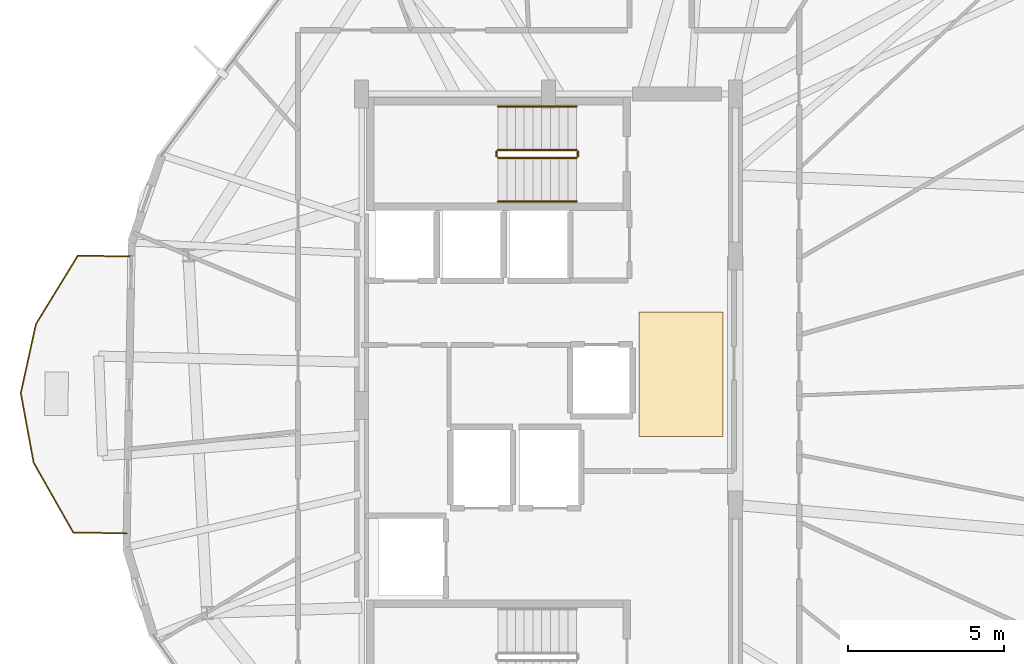
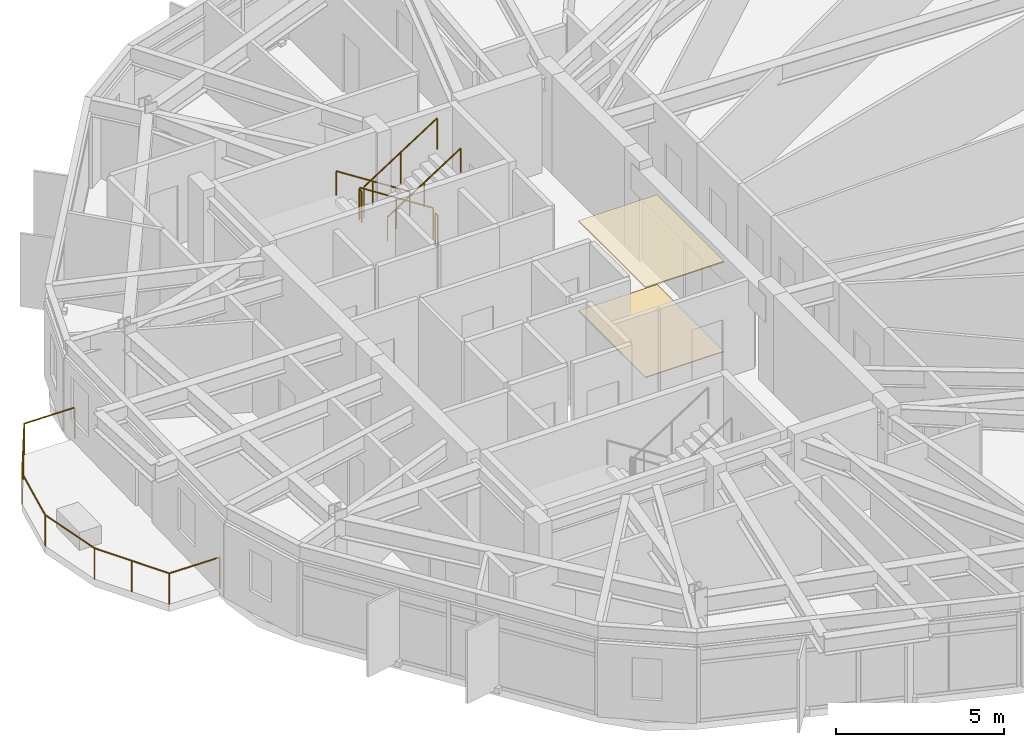
# One storey, part 28 of 29: 7 railings, 2 coverings.
"""IFC4 building model written with IfcOpenShell, lengths in metres."""

from ifc_helpers import new_model, si_unit, direction, frame, origin, origin_2d, place, context, subcontext, project, spatial, polyline, circle, outline, extrude, material, layer, layer_set, type_object, element, save


model = new_model("IFC4")

# Units and contexts
model_context = context("Model", 3, precision=1e-05, world=origin(), true_north=direction((0.0, 1.0)))
body_context = subcontext(model_context, "Body", "Model", "MODEL_VIEW")
ifc_project = project(units=[si_unit("LENGTHUNIT", "METRE"), si_unit("AREAUNIT", "SQUARE_METRE"), si_unit("VOLUMEUNIT", "CUBIC_METRE"), si_unit("PLANEANGLEUNIT", "RADIAN"), si_unit("MASSUNIT", "GRAM", prefix="KILO")], contexts=[model_context])

# Site, building, storey
site_placement = place(None, origin())
site = spatial("IfcSite", under=ifc_project, at=site_placement, CompositionType="ELEMENT")
building_placement = place(site_placement, origin())
building = spatial("IfcBuilding", under=site, at=building_placement, Name="Soratama Intermodal Tower", CompositionType="ELEMENT")
storey_placement = place(building_placement, frame((0.0, 0.0, 226.60009765625)))
storey = spatial("IfcBuildingStorey", under=building, at=storey_placement, Name="L57", CompositionType="ELEMENT", Elevation=226.60009765625)

# Coverings
ifc_material_1 = material(Name="Perforated mineral acoustic ceiling", Category="concrete")
ifc_layer_1 = layer(ifc_material_1, 0.0400390625)
ifc_layer_set_1 = layer_set([ifc_layer_1], Name="Perforated mineral acoustic ceiling")
covering_type_1 = type_object("IfcCoveringType", Name="CV-CEIL-ACOUSTIC", PredefinedType="CEILING", material=ifc_layer_set_1)
covering_1_placement = place(storey_placement, frame((0.0, 0.0, 3.260009765625)))
element("IfcCovering", 1, at=covering_1_placement, inside=storey, type_object=covering_type_1, Name="L57 Acoustic Ceiling", PredefinedType="CEILING", context=body_context, shape_type="SweptSolid", body=[
    extrude(outline(polyline([(41.5, 24.0), (44.199951171875, 24.0), (44.199951171875, 28.0), (41.5, 28.0), (41.5, 24.0)])), origin(), (0.0, 0.0, 1.0), 0.039794921875),
])
ifc_material_2 = material(Name="Polished Andean stone terrazzo flooring", Category="masonry")
ifc_layer_2 = layer(ifc_material_2, 0.030029296875)
ifc_layer_set_2 = layer_set([ifc_layer_2], Name="Polished Andean stone terrazzo flooring")
covering_type_2 = type_object("IfcCoveringType", Name="CV-FLOR-TERRAZZO", PredefinedType="FLOORING", material=ifc_layer_set_2)
covering_2_placement = place(storey_placement, origin())
element("IfcCovering", 2, at=covering_2_placement, inside=storey, type_object=covering_type_2, Name="L57 Lobby Terrazzo Flooring", PredefinedType="FLOORING", context=body_context, shape_type="SweptSolid", body=[
    extrude(outline(polyline([(41.5, 24.0), (44.199951171875, 24.0), (44.199951171875, 28.0), (41.5, 28.0), (41.5, 24.0)])), origin(), (0.0, 0.0, 1.0), 0.02978515625),
])

# Railings
ifc_material_3 = material(Name="Laminated glass and stainless steel balustrade", Category="steel")
railing_type_1 = type_object("IfcRailingType", Name="RL-BAL-1150", PredefinedType="BALUSTRADE", material=ifc_material_3)
railing_1_placement = place(storey_placement, frame((25.051025390625, 20.884765625, 0.0)))
element("IfcRailing", 3, at=railing_1_placement, inside=storey, type_object=railing_type_1, Name="L57 Balcony Balustrade 2", PredefinedType="BALUSTRADE", context=body_context, shape_type="SweptSolid", body=[
    extrude(circle(Radius=0.02392578125, at=origin_2d()), frame((0.0, 0.0, 1.1259765625), z_axis=(-0.999857330124, 0.016891400097, 0.0), x_axis=(-0.016891400097, -0.999857330124, 0.0)), (0.0, 0.0, 1.0), 1.719970703125),
    extrude(circle(Radius=0.02392578125, at=origin_2d()), frame((-1.7197265625, 0.029052734375, 1.1259765625), z_axis=(-0.493243992904, 0.869891006658, 0.0), x_axis=(-0.869891006658, -0.493243992904, 0.0)), (0.0, 0.0, 1.0), 2.581787109375),
    extrude(circle(Radius=0.02392578125, at=origin_2d()), frame((-2.9931640625, 2.27490234375, 1.1259765625), z_axis=(-0.181384219352, 0.983412306701, 0.0), x_axis=(-0.983412306701, -0.181384219352, 0.0)), (0.0, 0.0, 1.0), 2.269287109375),
    extrude(circle(Radius=0.02392578125, at=origin_2d()), frame((-3.40478515625, 4.506591796875, 1.1259765625), z_axis=(0.214309661144, 0.976765769845, 0.0), x_axis=(-0.976765769845, 0.214309661144, 0.0)), (0.0, 0.0, 1.0), 2.269287109375),
    extrude(circle(Radius=0.02392578125, at=origin_2d()), frame((-2.91845703125, 6.72314453125, 1.1259765625), z_axis=(0.522054199317, 0.852912312595, 0.0), x_axis=(-0.852912312595, 0.522054199317, 0.0)), (0.0, 0.0, 1.0), 2.58203125),
    extrude(circle(Radius=0.02392578125, at=origin_2d()), frame((-1.570556640625, 8.92529296875, 1.1259765625), z_axis=(0.99985971736, -0.016749495549, 0.0), x_axis=(0.016749495549, 0.99985971736, 0.0)), (0.0, 0.0, 1.0), 1.719970703125),
    extrude(circle(Radius=0.02099609375, at=origin_2d()), origin(), (0.0, 0.0, 1.0), 1.101806640625),
    extrude(circle(Radius=0.02099609375, at=origin_2d()), frame((-1.7197265625, 0.029052734375, 0.0)), (0.0, 0.0, 1.0), 1.101806640625),
    extrude(circle(Radius=0.02099609375, at=origin_2d()), frame((-2.3564453125, 1.15185546875, 0.0)), (0.0, 0.0, 1.0), 1.101806640625),
    extrude(circle(Radius=0.02099609375, at=origin_2d()), frame((-2.9931640625, 2.27490234375, 0.0)), (0.0, 0.0, 1.0), 1.101806640625),
    extrude(circle(Radius=0.02099609375, at=origin_2d()), frame((-3.40478515625, 4.506591796875, 0.0)), (0.0, 0.0, 1.0), 1.101806640625),
    extrude(circle(Radius=0.02099609375, at=origin_2d()), frame((-2.91845703125, 6.72314453125, 0.0)), (0.0, 0.0, 1.0), 1.101806640625),
    extrude(circle(Radius=0.02099609375, at=origin_2d()), frame((-2.24462890625, 7.82421875, 0.0)), (0.0, 0.0, 1.0), 1.101806640625),
    extrude(circle(Radius=0.02099609375, at=origin_2d()), frame((-1.570556640625, 8.92529296875, 0.0)), (0.0, 0.0, 1.0), 1.101806640625),
    extrude(circle(Radius=0.02099609375, at=origin_2d()), frame((0.149169921875, 8.896484375, 0.0)), (0.0, 0.0, 1.0), 1.101806640625),
])
ifc_material_4 = material(Name="Painted steel stair guardrail", Category="steel")
railing_type_2 = type_object("IfcRailingType", Name="RL-STAIR-GUARD", PredefinedType="GUARDRAIL", material=ifc_material_4)
railing_2_placement = place(storey_placement, frame((39.5, 33.199951171875, 0.179931640625)))
element("IfcRailing", 4, at=railing_2_placement, inside=storey, type_object=railing_type_2, Name="L57 ST-2 stair guard 1", PredefinedType="GUARDRAIL", context=body_context, shape_type="SweptSolid", body=[
    extrude(circle(Radius=0.02392578125, at=origin_2d()), frame((0.0, 0.0, 1.1259765625), z_axis=(-0.841199657755, 0.0, 0.540724639528), x_axis=(0.0, -1.0, 0.0)), (0.0, 0.0, 1.0), 2.995849609375),
    extrude(circle(Radius=0.02099609375, at=origin_2d()), origin(), (0.0, 0.0, 1.0), 1.101806640625),
    extrude(circle(Radius=0.02099609375, at=origin_2d()), frame((-1.260009765625, 0.0, 0.81005859375)), (0.0, 0.0, 1.0), 1.101806640625),
    extrude(circle(Radius=0.02099609375, at=origin_2d()), frame((-2.52001953125, 0.0, 1.619873046875)), (0.0, 0.0, 1.0), 1.101806640625),
])
railing_3_placement = place(storey_placement, frame((36.929931640625, 33.14990234375, 1.7998046875)))
element("IfcRailing", 5, at=railing_3_placement, inside=storey, type_object=railing_type_2, Name="L57 ST-2 stair guard 2", PredefinedType="GUARDRAIL", context=body_context, shape_type="SweptSolid", body=[
    extrude(circle(Radius=0.02392578125, at=origin_2d()), frame((0.0, 0.0, 1.1259765625), z_axis=(0.0, -1.0, 0.0), x_axis=(1.0, 0.0, 0.0)), (0.0, 0.0, 1.0), 0.14990234375),
    extrude(circle(Radius=0.02099609375, at=origin_2d()), origin(), (0.0, 0.0, 1.0), 1.101806640625),
    extrude(circle(Radius=0.02099609375, at=origin_2d()), frame((0.0, -0.14990234375, 0.0)), (0.0, 0.0, 1.0), 1.101806640625),
])
railing_4_placement = place(storey_placement, frame((36.97998046875, 32.949951171875, 1.97998046875)))
element("IfcRailing", 6, at=railing_4_placement, inside=storey, type_object=railing_type_2, Name="L57 ST-2 stair guard 3", PredefinedType="GUARDRAIL", context=body_context, shape_type="SweptSolid", body=[
    extrude(circle(Radius=0.02392578125, at=origin_2d()), frame((0.0, 0.0, 1.1259765625), z_axis=(0.841199657755, 0.0, 0.540724639528), x_axis=(0.0, 1.0, 0.0)), (0.0, 0.0, 1.0), 2.995849609375),
    extrude(circle(Radius=0.02099609375, at=origin_2d()), origin(), (0.0, 0.0, 1.0), 1.101806640625),
    extrude(circle(Radius=0.02099609375, at=origin_2d()), frame((1.260009765625, 0.0, 0.81005859375)), (0.0, 0.0, 1.0), 1.101806640625),
    extrude(circle(Radius=0.02099609375, at=origin_2d()), frame((2.52001953125, 0.0, 1.619873046875)), (0.0, 0.0, 1.0), 1.101806640625),
])
railing_5_placement = place(storey_placement, frame((39.550048828125, 33.14990234375, 0.0)))
element("IfcRailing", 7, at=railing_5_placement, inside=storey, type_object=railing_type_2, Name="L57 ST-2 stair guard 4", PredefinedType="GUARDRAIL", context=body_context, shape_type="SweptSolid", body=[
    extrude(circle(Radius=0.02392578125, at=origin_2d()), frame((0.0, 0.0, 1.1259765625), z_axis=(0.0, -1.0, 0.0), x_axis=(1.0, 0.0, 0.0)), (0.0, 0.0, 1.0), 0.14990234375),
    extrude(circle(Radius=0.02099609375, at=origin_2d()), origin(), (0.0, 0.0, 1.0), 1.101806640625),
    extrude(circle(Radius=0.02099609375, at=origin_2d()), frame((0.0, -0.14990234375, 0.0)), (0.0, 0.0, 1.0), 1.101806640625),
])
ifc_material_5 = material(Name="Brushed stainless steel handrail", Category="steel")
railing_type_3 = type_object("IfcRailingType", Name="RL-STAIR-HAND", PredefinedType="HANDRAIL", material=ifc_material_5)
railing_6_placement = place(storey_placement, frame((39.5, 34.60009765625, 0.179931640625)))
element("IfcRailing", 8, at=railing_6_placement, inside=storey, type_object=railing_type_3, Name="L57 ST-2 stair handrail 1", PredefinedType="HANDRAIL", context=body_context, shape_type="SweptSolid", body=[
    extrude(circle(Radius=0.02392578125, at=origin_2d()), frame((0.0, 0.0, 0.8759765625), z_axis=(-0.841199657755, 0.0, 0.540724639528), x_axis=(0.0, -1.0, 0.0)), (0.0, 0.0, 1.0), 2.995849609375),
    extrude(circle(Radius=0.02099609375, at=origin_2d()), origin(), (0.0, 0.0, 1.0), 0.851806640625),
    extrude(circle(Radius=0.02099609375, at=origin_2d()), frame((-1.260009765625, 0.0, 0.81005859375)), (0.0, 0.0, 1.0), 0.851806640625),
    extrude(circle(Radius=0.02099609375, at=origin_2d()), frame((-2.52001953125, 0.0, 1.619873046875)), (0.0, 0.0, 1.0), 0.851806640625),
])
railing_7_placement = place(storey_placement, frame((36.97998046875, 31.550048828125, 1.97998046875)))
element("IfcRailing", 9, at=railing_7_placement, inside=storey, type_object=railing_type_3, Name="L57 ST-2 stair handrail 2", PredefinedType="HANDRAIL", context=body_context, shape_type="SweptSolid", body=[
    extrude(circle(Radius=0.02392578125, at=origin_2d()), frame((0.0, 0.0, 0.8759765625), z_axis=(0.841199657755, 0.0, 0.540724639528), x_axis=(0.0, 1.0, 0.0)), (0.0, 0.0, 1.0), 2.995849609375),
    extrude(circle(Radius=0.02099609375, at=origin_2d()), origin(), (0.0, 0.0, 1.0), 0.851806640625),
    extrude(circle(Radius=0.02099609375, at=origin_2d()), frame((1.260009765625, 0.0, 0.81005859375)), (0.0, 0.0, 1.0), 0.851806640625),
    extrude(circle(Radius=0.02099609375, at=origin_2d()), frame((2.52001953125, 0.0, 1.619873046875)), (0.0, 0.0, 1.0), 0.851806640625),
])

save(model, "model.ifc")
